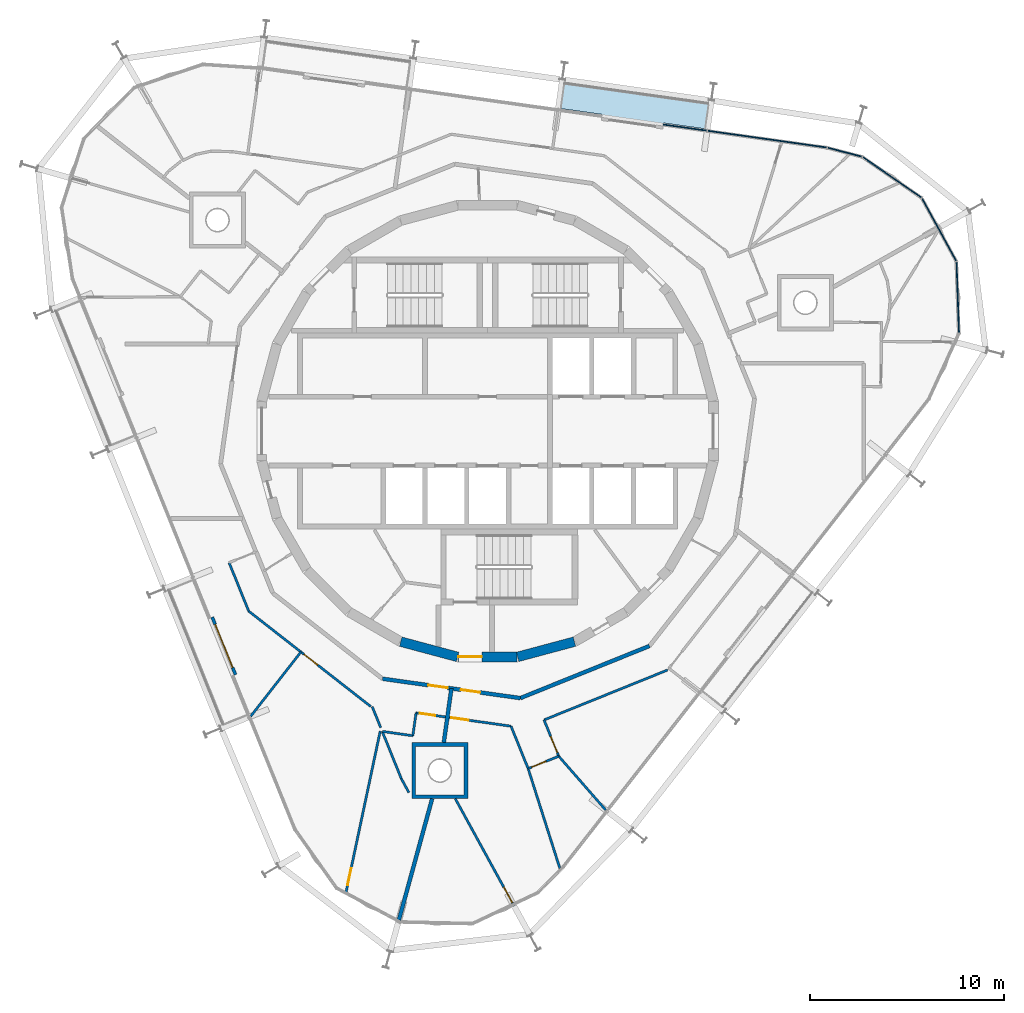
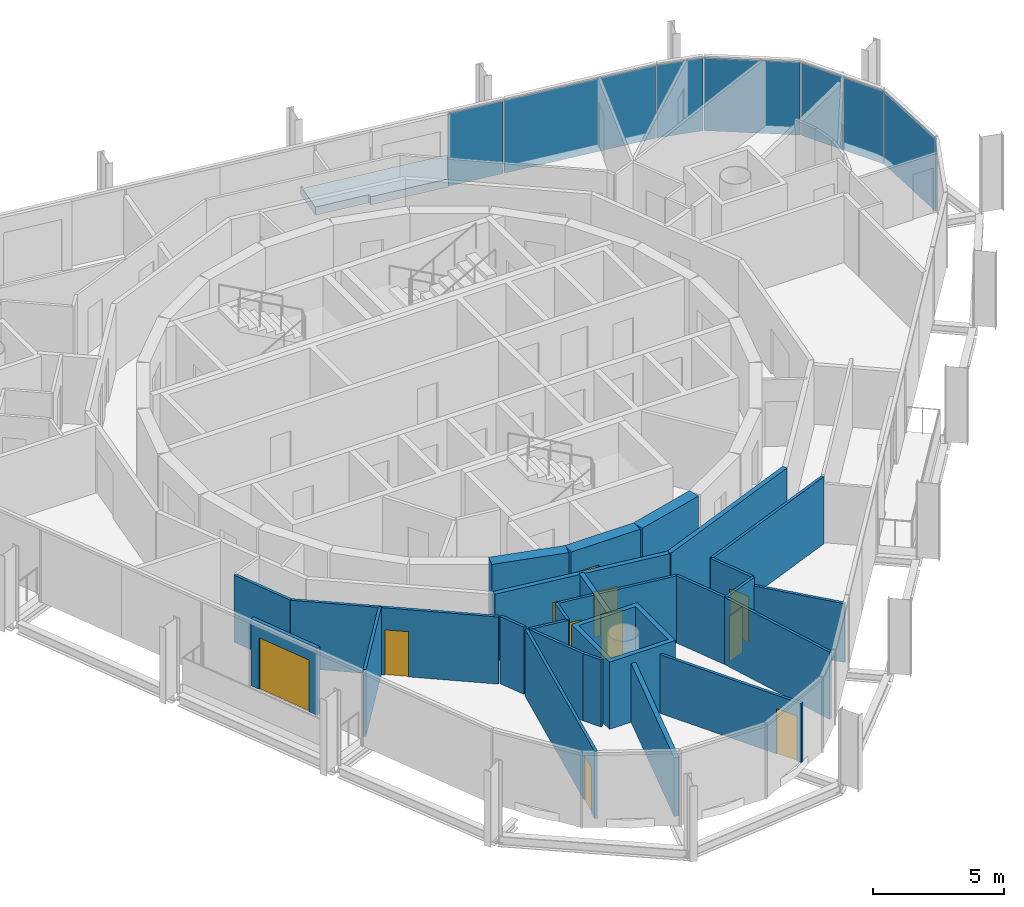
# One storey, part 9 of 15: 26 walls, 11 doors, 6 plates, 1 slab, 11 openings, 2 elements without a shape of their own.
"""IFC4 building model written with IfcOpenShell, lengths in metres."""

import ifcopenshell
import ifcopenshell.guid

model = None  # the IFC model being written
_history = None  # IfcOwnerHistory: only IFC2X3 demands one
_inside = {}  # id of a spatial element -> (the spatial element, [elements in it])
_under = {}  # id of a project, library or spatial element -> (it, [spatial elements below it])
_declared = {}  # id of a project -> (the project, [libraries it declares])
_typed = {}  # id of a type object -> (the type object, [elements of that type])
_made_of = {}  # id of a material, layer set ... -> (it, [elements and type objects made of it])


def new_model(schema):
    """Start an empty IFC model of exactly this schema.

    Asked for "IFC4X3", IfcOpenShell would pick the latest addendum, in which some entities
    have other attributes; the version numbers below select the first issue.
    IFC2X3 requires an IfcOwnerHistory on every rooted entity: one is made here for all.
    """
    global model, _history
    if schema == "IFC4X3":
        model = ifcopenshell.file(schema_version=(4, 3, 0, 0))
    else:
        model = ifcopenshell.file(schema=schema)
    _inside.clear()
    _under.clear()
    _declared.clear()
    _typed.clear()
    _made_of.clear()
    _history = None
    if model.schema == "IFC2X3":
        org = make("IfcOrganization", Name="unknown")
        user = make(
            "IfcPersonAndOrganization",
            ThePerson=make("IfcPerson", FamilyName="unknown"),
            TheOrganization=org,
        )
        app = make(
            "IfcApplication",
            ApplicationDeveloper=org,
            Version="unknown",
            ApplicationFullName="unknown",
            ApplicationIdentifier="unknown",
        )
        _history = make(
            "IfcOwnerHistory",
            OwningUser=user,
            OwningApplication=app,
            ChangeAction="ADDED",
            CreationDate=0,
        )
    return model


def make(cls, **values):
    """One entity of the class cls with the attributes given. An attribute that is None is left unset."""
    return model.create_entity(
        cls, **{name: value for name, value in values.items() if value is not None}
    )


def rooted(cls, **values):
    """An entity with a GlobalId (a new one), such as an element, a storey or a relation."""
    return make(cls, GlobalId=ifcopenshell.guid.new(), OwnerHistory=_history, **values)


def si_unit(unit_type, name, prefix=None):
    """IfcSIUnit, for example si_unit("LENGTHUNIT", "METRE", prefix="MILLI")."""
    return make("IfcSIUnit", UnitType=unit_type, Prefix=prefix, Name=name)


def assignment(units):
    """IfcUnitAssignment: the units of a project."""
    return None if units is None else make("IfcUnitAssignment", Units=units)


def point(xyz):
    """IfcCartesianPoint."""
    return None if xyz is None else make("IfcCartesianPoint", Coordinates=xyz)


def direction(xyz):
    """IfcDirection."""
    return None if xyz is None else make("IfcDirection", DirectionRatios=xyz)


def frame(location, z_axis=None, x_axis=None):
    """IfcAxis2Placement3D, a coordinate frame: its origin and axes. An axis left out is left unset."""
    return make(
        "IfcAxis2Placement3D",
        Location=point(location),
        Axis=direction(z_axis),
        RefDirection=direction(x_axis),
    )


def frame_2d(location, x_axis=None):
    """IfcAxis2Placement2D, a coordinate frame in the plane: its origin and x axis."""
    return make(
        "IfcAxis2Placement2D", Location=point(location), RefDirection=direction(x_axis)
    )


def origin():
    """The frame at (0, 0, 0) with its axes left unset."""
    return frame((0.0, 0.0, 0.0))


def origin_2d():
    """The frame at (0, 0) in the plane with its x axis left unset."""
    return frame_2d((0.0, 0.0))


def place(relative_to, where):
    """IfcLocalPlacement: puts the frame where relative to a parent placement (None: the world)."""
    return make(
        "IfcLocalPlacement", PlacementRelTo=relative_to, RelativePlacement=where
    )


def context(
    kind, dimensions, precision=None, world=None, true_north=None, identifier=None
):
    """IfcGeometricRepresentationContext, for example the 3D "Model" context."""
    return make(
        "IfcGeometricRepresentationContext",
        ContextIdentifier=identifier,
        ContextType=kind,
        CoordinateSpaceDimension=dimensions,
        Precision=precision,
        WorldCoordinateSystem=world,
        TrueNorth=true_north,
    )


def subcontext(parent, identifier, kind, view, scale=None):
    """IfcGeometricRepresentationSubContext, for example "Body" below "Model"."""
    return make(
        "IfcGeometricRepresentationSubContext",
        ContextIdentifier=identifier,
        ContextType=kind,
        ParentContext=parent,
        TargetScale=scale,
        TargetView=view,
    )


def project(units=None, contexts=None):
    """IfcProject with its units and contexts."""
    return rooted(
        "IfcProject",
        Name="project",
        RepresentationContexts=contexts,
        UnitsInContext=assignment(units),
    )


def spatial(cls, under=None, at=None, **own):
    """A site, building, storey or space (cls), placed at a placement, below another one or the project."""
    s = rooted(cls, ObjectPlacement=at, **own)
    if under is not None:
        _under.setdefault(under.id(), (under, []))[1].append(s)
    return s


def polyline(points):
    """IfcPolyline through the points."""
    return make("IfcPolyline", Points=[point(p) for p in points])


def profile(cls, at=None, kind="AREA", **sizes):
    """A parametric profile (cls). Its sizes go by their IFC names, for example OverallWidth=200.0."""
    return make(cls, ProfileType=kind, Position=at, **sizes)


def rectangle(**sizes):
    """IfcRectangleProfileDef."""
    return profile("IfcRectangleProfileDef", **sizes)


def outline(outer, holes=None, kind="AREA"):
    """IfcArbitraryClosedProfileDef: a profile drawn as a closed curve; with holes, ...WithVoids."""
    if holes is None:
        return make("IfcArbitraryClosedProfileDef", ProfileType=kind, OuterCurve=outer)
    return make(
        "IfcArbitraryProfileDefWithVoids",
        ProfileType=kind,
        OuterCurve=outer,
        InnerCurves=holes,
    )


def extrude(swept, where, along, depth):
    """IfcExtrudedAreaSolid: the profile swept, set in the frame where, extruded along a direction by depth."""
    return make(
        "IfcExtrudedAreaSolid",
        SweptArea=swept,
        Position=where,
        ExtrudedDirection=direction(along),
        Depth=depth,
    )


def shape(context_of_items, identifier, shape_type, items):
    """IfcShapeRepresentation: the items that make up one representation, for example the "Body"."""
    return make(
        "IfcShapeRepresentation",
        ContextOfItems=context_of_items,
        RepresentationIdentifier=identifier,
        RepresentationType=shape_type,
        Items=items,
    )


def material(Name=None, Category=None):
    """IfcMaterial."""
    return make("IfcMaterial", Name=Name, Category=Category)


def layer(
    of_material, thickness, ventilated=None, Name=None, Category=None, Priority=None
):
    """IfcMaterialLayer: one layer of a wall or slab, of a material (None: an air gap)."""
    return make(
        "IfcMaterialLayer",
        Material=of_material,
        LayerThickness=thickness,
        IsVentilated=ventilated,
        Name=Name,
        Category=Category,
        Priority=Priority,
    )


def layer_set(layers, Name=None):
    """IfcMaterialLayerSet."""
    return make("IfcMaterialLayerSet", MaterialLayers=layers, LayerSetName=Name)


def made_of(thing, what):
    """Note that an element or type object is made of a material, layer set ...; save() writes the relation."""
    if what is not None:
        _made_of.setdefault(what.id(), (what, []))[1].append(thing)
    return thing


def type_object(cls, material=None, **own):
    """A type object (cls), such as IfcWallType, which elements share."""
    return made_of(rooted(cls, **own), material)


def element(
    cls,
    number,
    at=None,
    inside=None,
    cuts=None,
    type_object=None,
    material=None,
    context=None,
    identifier="Body",
    shape_type=None,
    held_by="IfcProductDefinitionShape",
    body=None,
    shapes=None,
    **own,
):
    """One element of the class cls, such as IfcWall. Its Tag is "e" and its number.

    at: its placement. inside: the storey or other place that contains it. cuts: it is an
    opening in that element (IfcRelVoidsElement). A single representation is given by context,
    identifier, shape_type and body (its items); several are given by shapes. held_by: the class
    of the entity that holds the representations. save() writes the other relations.
    """
    e = rooted(cls, Tag="e%d" % number, ObjectPlacement=at, **own)
    if body is not None:
        shapes = [shape(context, identifier, shape_type, body)]
    if shapes is not None:
        e.Representation = make(held_by, Representations=shapes)
    if inside is not None:
        _inside.setdefault(inside.id(), (inside, []))[1].append(e)
    if cuts is not None:
        rooted(
            "IfcRelVoidsElement", RelatingBuildingElement=cuts, RelatedOpeningElement=e
        )
    if type_object is not None:
        _typed.setdefault(type_object.id(), (type_object, []))[1].append(e)
    return made_of(e, material)


def fill(opening, filler):
    """IfcRelFillsElement: the door or window that sits in an opening."""
    return rooted(
        "IfcRelFillsElement",
        RelatingOpeningElement=opening,
        RelatedBuildingElement=filler,
    )


def aggregate(whole, parts):
    """IfcRelAggregates: a whole, such as a stair, and the parts it consists of."""
    return rooted("IfcRelAggregates", RelatingObject=whole, RelatedObjects=parts)


def save(model, path):
    """Write the relations noted so far, then the file.

    IfcRelAggregates (storeys below a building ...), IfcRelContainedInSpatialStructure (elements
    in a storey), IfcRelDefinesByType, IfcRelAssociatesMaterial and IfcRelDeclares: one each for
    every whole, place, type object, material and project.
    """
    for whole, parts in _under.values():
        aggregate(whole, parts)
    for where, things in _inside.values():
        rooted(
            "IfcRelContainedInSpatialStructure",
            RelatedElements=things,
            RelatingStructure=where,
        )
    for kind, things in _typed.values():
        rooted("IfcRelDefinesByType", RelatedObjects=things, RelatingType=kind)
    for what, things in _made_of.values():
        rooted("IfcRelAssociatesMaterial", RelatedObjects=things, RelatingMaterial=what)
    for by, libraries in _declared.values():
        rooted("IfcRelDeclares", RelatingContext=by, RelatedDefinitions=libraries)
    model.write(path)


model = new_model("IFC4")

# Units and contexts
model_context = context("Model", 3, precision=1e-05, world=origin(), true_north=direction((0.0, 1.0)))
body_context = subcontext(model_context, "Body", "Model", "MODEL_VIEW")
ifc_project = project(units=[si_unit("LENGTHUNIT", "METRE"), si_unit("AREAUNIT", "SQUARE_METRE"), si_unit("VOLUMEUNIT", "CUBIC_METRE"), si_unit("PLANEANGLEUNIT", "RADIAN"), si_unit("MASSUNIT", "GRAM", prefix="KILO")], contexts=[model_context])

# Site, building, storey
site_placement = place(None, origin())
site = spatial("IfcSite", under=ifc_project, at=site_placement, CompositionType="ELEMENT")
building_placement = place(site_placement, origin())
building = spatial("IfcBuilding", under=site, at=building_placement, Name="Spindle Arch Residences", CompositionType="ELEMENT")
storey_placement = place(building_placement, frame((0.0, 0.0, 336.5)))
storey = spatial("IfcBuildingStorey", under=building, at=storey_placement, Name="L86", CompositionType="ELEMENT", Elevation=336.5)

# Slab
ifc_material_1 = material(Name="Concrete C40/50", Category="concrete")
ifc_layer_1 = layer(ifc_material_1, 0.3798828125)
ifc_layer_set_1 = layer_set([ifc_layer_1], Name="Balcony slab 380")
slab_type = type_object("IfcSlabType", Name="Balcony slab 380", PredefinedType="FLOOR", material=ifc_layer_set_1)
slab_placement = place(storey_placement, frame((0.0, 0.0, -0.3798828125)))
element("IfcSlab", 1, at=slab_placement, inside=storey, type_object=slab_type, Name="Balcony L86 bay 6", PredefinedType="FLOOR", context=body_context, shape_type="SweptSolid", body=[
    extrude(outline(polyline([(11.470458984375, 17.05810546875), (11.396240234375, 17.068359375), (11.375244140625, 16.919921875), (3.982421875, 17.958984375), (4.00341796875, 18.107421875), (3.928955078125, 18.117919921875), (3.7216796875, 16.642333984375), (5.907958984375, 16.335205078125), (5.8857421875, 16.1767578125), (9.054443359375, 15.7314453125), (9.076904296875, 15.889892578125), (11.26318359375, 15.58251953125), (11.470458984375, 17.05810546875)])), origin(), (0.0, 0.0, 1.0), 0.3798828125),
])

# Curtain wall, plates
ifc_material_2 = material(Name="Aluminium bronze unitised frame with tinted glass", Category="aluminium")
ifc_layer_2 = layer(ifc_material_2, 0.159912109375)
ifc_layer_set_2 = layer_set([ifc_layer_2], Name="CW-D corner wall on the fillet arcs")
curtain_wall_type_1 = type_object("IfcCurtainWallType", Name="CW-D corner wall on the fillet arcs", PredefinedType="NOTDEFINED", material=ifc_layer_set_2)
curtain_wall_1_placement = place(storey_placement, origin())
curtain_wall_1 = element("IfcCurtainWall", 2, at=curtain_wall_1_placement, inside=storey, type_object=curtain_wall_type_1, Name="CW-D L86 run 1", PredefinedType="NOTDEFINED")
ifc_material_3 = material(Name="Tinted double glazing over aluminium faced non-combustible spandrel zone (K0)", Category="aluminium")
ifc_layer_3 = layer(ifc_material_3, 0.06005859375)
ifc_layer_set_3 = layer_set([ifc_layer_3], Name="Unitised glass panel with E 60 spandrel zone")
plate_type = type_object("IfcPlateType", Name="Unitised glass panel with E 60 spandrel zone", PredefinedType="CURTAIN_PANEL", material=ifc_layer_set_3)
plate_1_placement = place(storey_placement, frame((24.2470703125, 6.896240234375, -0.3798828125), z_axis=(0.0, 0.0, 1.0), x_axis=(-0.034899497139, 0.999390827004, 0.0)))
plate_1 = element("IfcPlate", 3, at=plate_1_placement, type_object=plate_type, Name="CW-D unit 02", PredefinedType="CURTAIN_PANEL", context=body_context, shape_type="SweptSolid", body=[
    extrude(rectangle(XDim=3.666748046875, YDim=0.06005859375, at=origin_2d()), origin(), (0.0, 0.0, 1.0), 3.3798828125),
])
plate_2_placement = place(storey_placement, frame((23.2880859375, 10.3935546875, -0.3798828125), z_axis=(0.0, 0.0, 1.0), x_axis=(-0.479713114021, 0.877425397533, 0.0)))
plate_2 = element("IfcPlate", 4, at=plate_2_placement, type_object=plate_type, Name="CW-D unit 03", PredefinedType="CURTAIN_PANEL", context=body_context, shape_type="SweptSolid", body=[
    extrude(rectangle(XDim=3.666748046875, YDim=0.06005859375, at=origin_2d()), origin(), (0.0, 0.0, 1.0), 3.3798828125),
])
plate_3_placement = place(storey_placement, frame((20.86181640625, 13.08837890625, -0.3798828125), z_axis=(0.0, 0.0, 1.0), x_axis=(-0.822475094841, 0.568801123739, 0.0)))
plate_3 = element("IfcPlate", 5, at=plate_3_placement, type_object=plate_type, Name="CW-D unit 04", PredefinedType="CURTAIN_PANEL", context=body_context, shape_type="SweptSolid", body=[
    extrude(rectangle(XDim=3.666748046875, YDim=0.06005859375, at=origin_2d()), origin(), (0.0, 0.0, 1.0), 3.3798828125),
])
plate_4_placement = place(storey_placement, frame((18.421630859375, 14.3857421875, -0.3798828125), z_axis=(0.0, 0.0, 1.0), x_axis=(-0.967415218326, 0.25319517245, 0.0)))
plate_4 = element("IfcPlate", 6, at=plate_4_placement, type_object=plate_type, Name="CW-D unit 05", PredefinedType="CURTAIN_PANEL", context=body_context, shape_type="SweptSolid", body=[
    extrude(rectangle(XDim=1.816162109375, YDim=0.06005859375, at=origin_2d()), origin(), (0.0, 0.0, 1.0), 3.3798828125),
])
plate_5_placement = place(storey_placement, frame((14.420166015625, 15.05810546875, -0.3798828125), z_axis=(0.0, 0.0, 1.0), x_axis=(-0.990268068742, 0.13917310096, 0.0)))
plate_5 = element("IfcPlate", 7, at=plate_5_placement, type_object=plate_type, Name="CW-D unit 06", PredefinedType="CURTAIN_PANEL", context=body_context, shape_type="SweptSolid", body=[
    extrude(rectangle(XDim=6.188720703125, YDim=0.06005859375, at=origin_2d()), origin(), (0.0, 0.0, 1.0), 3.3798828125),
])
aggregate(curtain_wall_1, [plate_1, plate_2, plate_3, plate_4, plate_5])

# Curtain wall, plate
ifc_material_4 = material(Name="Aluminium bronze unitised frame with tinted glass", Category="aluminium")
ifc_layer_4 = layer(ifc_material_4, 0.159912109375)
ifc_layer_set_4 = layer_set([ifc_layer_4], Name="CW-C typical residential unitised wall")
curtain_wall_type_2 = type_object("IfcCurtainWallType", Name="CW-C typical residential unitised wall", PredefinedType="NOTDEFINED", material=ifc_layer_set_4)
curtain_wall_2_placement = place(storey_placement, origin())
curtain_wall_2 = element("IfcCurtainWall", 8, at=curtain_wall_2_placement, inside=storey, type_object=curtain_wall_type_2, Name="CW-C L86 run 2", PredefinedType="NOTDEFINED")
plate_6_placement = place(storey_placement, frame((10.18115234375, 15.65380859375, -0.3798828125), z_axis=(0.0, 0.0, 1.0), x_axis=(-0.990268068742, 0.13917310096, 0.0)))
plate_6 = element("IfcPlate", 9, at=plate_6_placement, type_object=plate_type, Name="CW-C unit 05L", PredefinedType="CURTAIN_PANEL", context=body_context, shape_type="SweptSolid", body=[
    extrude(rectangle(XDim=2.252685546875, YDim=0.06005859375, at=origin_2d()), origin(), (0.0, 0.0, 1.0), 3.3798828125),
])
aggregate(curtain_wall_2, [plate_6])

# Walls
ifc_material_5 = material(Name="Concrete C50/60", Category="concrete")
ifc_layer_5 = layer(ifc_material_5, 0.5)
ifc_layer_set_5 = layer_set([ifc_layer_5], Name="Core outline wall 500")
wall_type_1 = type_object("IfcWallType", Name="Core outline wall 500", PredefinedType="SHEAR", material=ifc_layer_set_5)
for number, where, z_axis, x_axis, name in (
    (10, (1.5498046875, -11.642822265625, 0.0), (0.0, 0.0, 1.0), (0.965948410781, 0.258734743916, 0.0), "Core outline wall 1"),
    (11, (-4.479248046875, -10.858154296875, 0.0), (0.0, 0.0, 1.0), (0.965948410781, -0.258734743916, 0.0), "Core outline wall 23"),
):
    element("IfcWall", number, at=place(storey_placement, frame(where, z_axis=z_axis, x_axis=x_axis)), inside=storey, type_object=wall_type_1, Name=name, PredefinedType="SHEAR", context=body_context, shape_type="SweptSolid", body=[
        extrude(rectangle(XDim=3.03271484375, YDim=0.5, at=frame_2d((1.516357421875, 0.0))), origin(), (0.0, 0.0, 1.0), 3.1201171875),
    ])

# Wall, opening, door
wall_1_placement = place(storey_placement, frame((-1.516357421875, -11.647216796875, 0.0), z_axis=(0.0, 0.0, 1.0), x_axis=(1.0, 0.0, 0.0)))
wall_1 = element("IfcWall", 12, at=wall_1_placement, inside=storey, type_object=wall_type_1, Name="Core outline wall 24", PredefinedType="SHEAR", context=body_context, shape_type="SweptSolid", body=[
    extrude(rectangle(XDim=3.03271484375, YDim=0.5, at=frame_2d((1.516357421875, 0.0))), origin(), (0.0, 0.0, 1.0), 3.1201171875),
])
opening_1_placement = place(wall_1_placement, frame((0.016357421875, 0.0, 0.0)))
opening_1 = element("IfcOpeningElement", 13, at=opening_1_placement, cuts=wall_1, Name="Opening R9A1-AD03", PredefinedType="OPENING", context=body_context, shape_type="SweptSolid", body=[
    extrude(rectangle(XDim=1.199951171875, YDim=2.10009765625, at=frame_2d((0.60009765625, 1.050048828125))), frame((0.0, 0.260009765625, 0.0), z_axis=(0.0, -1.0, 0.0), x_axis=(1.0, 0.0, 0.0)), (0.0, 0.0, 1.0), 0.52001953125),
])
ifc_material_6 = material(Name="Steel, fire-resisting door", Category="steel")
door_type_1 = type_object("IfcDoorType", Name="Stair airlock door 1200x2100", OperationType="SINGLE_SWING_LEFT", PredefinedType="DOOR", material=ifc_material_6)
door_1_placement = place(opening_1_placement, origin())
door_1 = element("IfcDoor", 14, at=door_1_placement, inside=storey, type_object=door_type_1, Name="Stair airlock door R9A1-AD03", OperationType="SINGLE_SWING_RIGHT", OverallHeight=2.10009765625, OverallWidth=1.199951171875, PredefinedType="DOOR", context=body_context, shape_type="SweptSolid", body=[
    extrude(rectangle(XDim=1.199951171875, YDim=2.10009765625, at=frame_2d((0.60009765625, 1.050048828125))), frame((0.0, 0.02490234375, 0.0), z_axis=(0.0, -1.0, 0.0), x_axis=(1.0, 0.0, 0.0)), (0.0, 0.0, 1.0), 0.050048828125),
])
fill(opening_1, door_1)

# Wall, openings, doors
ifc_material_7 = material(Name="Calcium silicate block, plastered")
ifc_layer_6 = layer(ifc_material_7, 0.199951171875)
ifc_layer_set_6 = layer_set([ifc_layer_6], Name="Corridor wall 200")
wall_type_2 = type_object("IfcWallType", Name="Corridor wall 200", PredefinedType="STANDARD", material=ifc_layer_set_6)
wall_2_placement = place(storey_placement, frame((-5.42041015625, -12.77001953125, 0.0), z_axis=(0.0, 0.0, 1.0), x_axis=(0.990270565508, -0.139155334385, 0.0)))
wall_2 = element("IfcWall", 15, at=wall_2_placement, inside=storey, type_object=wall_type_2, Name="Corridor wall R9A1-W015", PredefinedType="STANDARD", context=body_context, shape_type="SweptSolid", body=[
    extrude(rectangle(XDim=7.180908203125, YDim=0.199951171875, at=frame_2d((3.59033203125, 0.0))), origin(), (0.0, 0.0, 1.0), 3.1201171875),
])
opening_2_placement = place(wall_2_placement, frame((2.390380859375, 0.0, 0.0)))
opening_2 = element("IfcOpeningElement", 16, at=opening_2_placement, cuts=wall_2, Name="Opening R9A1-FD05", PredefinedType="OPENING", context=body_context, shape_type="SweptSolid", body=[
    extrude(rectangle(XDim=1.0, YDim=2.10009765625, at=frame_2d((0.5, 1.050048828125))), frame((0.0, 0.10986328125, 0.0), z_axis=(0.0, -1.0, 0.0), x_axis=(1.0, 0.0, 0.0)), (0.0, 0.0, 1.0), 0.219970703125),
])
opening_3_placement = place(wall_2_placement, frame((4.090576171875, 0.0, 0.0)))
opening_3 = element("IfcOpeningElement", 17, at=opening_3_placement, cuts=wall_2, Name="Opening R9A1-FD06", PredefinedType="OPENING", context=body_context, shape_type="SweptSolid", body=[
    extrude(rectangle(XDim=1.0, YDim=2.10009765625, at=frame_2d((0.5, 1.050048828125))), frame((0.0, 0.10986328125, 0.0), z_axis=(0.0, -1.0, 0.0), x_axis=(1.0, 0.0, 0.0)), (0.0, 0.0, 1.0), 0.219970703125),
])
ifc_material_8 = material(Name="Timber, fire-resisting door set", Category="wood")
door_type_2 = type_object("IfcDoorType", Name="Flat entrance door 1000x2100", OperationType="NOTDEFINED", PredefinedType="DOOR", material=ifc_material_8)
door_2_placement = place(opening_2_placement, origin())
door_2 = element("IfcDoor", 18, at=door_2_placement, inside=storey, type_object=door_type_2, Name="Flat entrance door R9A1-FD05", OperationType="SINGLE_SWING_RIGHT", OverallHeight=2.10009765625, OverallWidth=1.0, PredefinedType="DOOR", context=body_context, shape_type="SweptSolid", body=[
    extrude(rectangle(XDim=1.0, YDim=2.10009765625, at=frame_2d((0.5, 1.050048828125))), frame((0.0, 0.02490234375, 0.0), z_axis=(0.0, -1.0, 0.0), x_axis=(1.0, 0.0, 0.0)), (0.0, 0.0, 1.0), 0.050048828125),
])
fill(opening_2, door_2)
door_3_placement = place(opening_3_placement, origin())
door_3 = element("IfcDoor", 19, at=door_3_placement, inside=storey, type_object=door_type_2, Name="Flat entrance door R9A1-FD06", OperationType="SINGLE_SWING_RIGHT", OverallHeight=2.10009765625, OverallWidth=1.0, PredefinedType="DOOR", context=body_context, shape_type="SweptSolid", body=[
    extrude(rectangle(XDim=1.0, YDim=2.10009765625, at=frame_2d((0.5, 1.050048828125))), frame((0.0, 0.02490234375, 0.0), z_axis=(0.0, -1.0, 0.0), x_axis=(1.0, 0.0, 0.0)), (0.0, 0.0, 1.0), 0.050048828125),
])
fill(opening_3, door_3)

# Walls
wall_3_placement = place(storey_placement, frame((1.690673828125, -13.769287109375, 0.0), z_axis=(0.0, 0.0, 1.0), x_axis=(0.92717916932, 0.374618189599, 0.0)))
element("IfcWall", 20, at=wall_3_placement, inside=storey, type_object=wall_type_2, Name="Corridor wall R9A1-W016", PredefinedType="STANDARD", context=body_context, shape_type="SweptSolid", body=[
    extrude(rectangle(XDim=7.18115234375, YDim=0.199951171875, at=frame_2d((3.590576171875, 0.0))), origin(), (0.0, 0.0, 1.0), 3.1201171875),
])
ifc_material_9 = material(Name="Plasterboard on steel studs", Category="steel")
ifc_layer_7 = layer(ifc_material_9, 0.1201171875)
ifc_layer_set_7 = layer_set([ifc_layer_7], Name="Flat partition 120")
wall_type_3 = type_object("IfcWallType", Name="Flat partition 120", PredefinedType="PARTITIONING", material=ifc_layer_set_7)
wall_4_placement = place(storey_placement, frame((-13.330078125, -6.78173828125, 0.0), z_axis=(0.0, 0.0, 1.0), x_axis=(0.374602180132, -0.927185637637, 0.0)))
element("IfcWall", 21, at=wall_4_placement, inside=storey, type_object=wall_type_3, Name="Flat partition R9A1-W072", PredefinedType="PARTITIONING", context=body_context, shape_type="SweptSolid", body=[
    extrude(rectangle(XDim=2.6982421875, YDim=0.1201171875, at=frame_2d((1.34912109375, 0.0))), origin(), (0.0, 0.0, 1.0), 3.1201171875),
])

# Wall, opening, door
wall_5_placement = place(storey_placement, frame((-12.3193359375, -9.283447265625, 0.0), z_axis=(0.0, 0.0, 1.0), x_axis=(0.788000268464, -0.61567489546, 0.0)))
wall_5 = element("IfcWall", 22, at=wall_5_placement, inside=storey, type_object=wall_type_3, Name="Flat partition R9A1-W073", PredefinedType="PARTITIONING", context=body_context, shape_type="SweptSolid", body=[
    extrude(rectangle(XDim=7.98486328125, YDim=0.1201171875, at=frame_2d((3.992431640625, 0.0))), origin(), (0.0, 0.0, 1.0), 3.1201171875),
])
opening_4_placement = place(wall_5_placement, frame((3.619140625, 0.0, 0.0)))
opening_4 = element("IfcOpeningElement", 23, at=opening_4_placement, cuts=wall_5, Name="Opening R9A1-ID16", PredefinedType="OPENING", context=body_context, shape_type="SweptSolid", body=[
    extrude(rectangle(XDim=0.89990234375, YDim=2.10009765625, at=frame_2d((0.449951171875, 1.050048828125))), frame((0.0, 0.070068359375, 0.0), z_axis=(0.0, -1.0, 0.0), x_axis=(1.0, 0.0, 0.0)), (0.0, 0.0, 1.0), 0.14013671875),
])
ifc_material_10 = material(Name="Timber door set", Category="wood")
door_type_3 = type_object("IfcDoorType", Name="Room door 900x2100", OperationType="NOTDEFINED", PredefinedType="DOOR", material=ifc_material_10)
door_4_placement = place(opening_4_placement, origin())
door_4 = element("IfcDoor", 24, at=door_4_placement, inside=storey, type_object=door_type_3, Name="Room door R9A1-ID16", OperationType="SINGLE_SWING_RIGHT", OverallHeight=2.10009765625, OverallWidth=0.89990234375, PredefinedType="DOOR", context=body_context, shape_type="SweptSolid", body=[
    extrude(rectangle(XDim=0.89990234375, YDim=2.10009765625, at=frame_2d((0.449951171875, 1.050048828125))), frame((0.0, 0.02490234375, 0.0), z_axis=(0.0, -1.0, 0.0), x_axis=(1.0, 0.0, 0.0)), (0.0, 0.0, 1.0), 0.050048828125),
])
fill(opening_4, door_4)

# Walls
wall_6_placement = place(storey_placement, frame((-5.9482421875, -14.21044921875, 0.0), z_axis=(0.0, 0.0, 1.0), x_axis=(0.374601530156, -0.927185900241, 0.0)))
element("IfcWall", 25, at=wall_6_placement, inside=storey, type_object=wall_type_3, Name="Flat partition R9A1-W074", PredefinedType="PARTITIONING", context=body_context, shape_type="SweptSolid", body=[
    extrude(rectangle(XDim=1.166015625, YDim=0.1201171875, at=frame_2d((0.5830078125, 0.0))), origin(), (0.0, 0.0, 1.0), 3.1201171875),
])
wall_7_placement = place(storey_placement, frame((-5.4326171875, -15.486572265625, 0.0), z_axis=(0.0, 0.0, 1.0), x_axis=(0.990268451053, -0.139170380644, 0.0)))
element("IfcWall", 26, at=wall_7_placement, inside=storey, type_object=wall_type_3, Name="Flat partition R9A1-W075", PredefinedType="PARTITIONING", context=body_context, shape_type="SweptSolid", body=[
    extrude(rectangle(XDim=1.5947265625, YDim=0.1201171875, at=frame_2d((0.79736328125, 0.0))), origin(), (0.0, 0.0, 1.0), 3.1201171875),
])
wall_8_placement = place(storey_placement, frame((-3.853515625, -15.70849609375, 0.0), z_axis=(0.0, 0.0, 1.0), x_axis=(0.139298773474, 0.99025039849, 0.0)))
element("IfcWall", 27, at=wall_8_placement, inside=storey, type_object=wall_type_3, Name="Flat partition R9A1-W076", PredefinedType="PARTITIONING", context=body_context, shape_type="SweptSolid", body=[
    extrude(rectangle(XDim=1.19189453125, YDim=0.1201171875, at=frame_2d((0.595947265625, 0.0))), origin(), (0.0, 0.0, 1.0), 3.1201171875),
])

# Wall, openings, doors
wall_9_placement = place(storey_placement, frame((-3.6875, -14.5283203125, 0.0), z_axis=(0.0, 0.0, 1.0), x_axis=(0.990273698817, -0.139133035013, 0.0)))
wall_9 = element("IfcWall", 28, at=wall_9_placement, inside=storey, type_object=wall_type_3, Name="Flat partition R9A1-W077", PredefinedType="PARTITIONING", context=body_context, shape_type="SweptSolid", body=[
    extrude(rectangle(XDim=4.94482421875, YDim=0.1201171875, at=frame_2d((2.472412109375, 0.0))), origin(), (0.0, 0.0, 1.0), 3.1201171875),
])
opening_5_placement = place(wall_9_placement, frame((0.199951171875, 0.0, 0.0)))
opening_5 = element("IfcOpeningElement", 29, at=opening_5_placement, cuts=wall_9, Name="Opening R9A1-BD05", PredefinedType="OPENING", context=body_context, shape_type="SweptSolid", body=[
    extrude(rectangle(XDim=0.800048828125, YDim=2.10009765625, at=frame_2d((0.39990234375, 1.050048828125))), frame((0.0, 0.070068359375, 0.0), z_axis=(0.0, -1.0, 0.0), x_axis=(1.0, 0.0, 0.0)), (0.0, 0.0, 1.0), 0.14013671875),
])
opening_6_placement = place(wall_9_placement, frame((1.829833984375, 0.0, 0.0)))
opening_6 = element("IfcOpeningElement", 30, at=opening_6_placement, cuts=wall_9, Name="Opening R9A1-ID18", PredefinedType="OPENING", context=body_context, shape_type="SweptSolid", body=[
    extrude(rectangle(XDim=0.89990234375, YDim=2.10009765625, at=frame_2d((0.449951171875, 1.050048828125))), frame((0.0, 0.070068359375, 0.0), z_axis=(0.0, -1.0, 0.0), x_axis=(1.0, 0.0, 0.0)), (0.0, 0.0, 1.0), 0.14013671875),
])
ifc_material_11 = material(Name="Timber door set", Category="wood")
door_type_4 = type_object("IfcDoorType", Name="Bathroom door 800x2100", OperationType="NOTDEFINED", PredefinedType="DOOR", material=ifc_material_11)
door_5_placement = place(opening_5_placement, origin())
door_5 = element("IfcDoor", 31, at=door_5_placement, inside=storey, type_object=door_type_4, Name="Bathroom door R9A1-BD05", OperationType="SINGLE_SWING_RIGHT", OverallHeight=2.10009765625, OverallWidth=0.800048828125, PredefinedType="DOOR", context=body_context, shape_type="SweptSolid", body=[
    extrude(rectangle(XDim=0.800048828125, YDim=2.10009765625, at=frame_2d((0.39990234375, 1.050048828125))), frame((0.0, 0.02490234375, 0.0), z_axis=(0.0, -1.0, 0.0), x_axis=(1.0, 0.0, 0.0)), (0.0, 0.0, 1.0), 0.050048828125),
])
fill(opening_5, door_5)
door_6_placement = place(opening_6_placement, origin())
door_6 = element("IfcDoor", 32, at=door_6_placement, inside=storey, type_object=door_type_3, Name="Room door R9A1-ID18", OperationType="SINGLE_SWING_RIGHT", OverallHeight=2.10009765625, OverallWidth=0.89990234375, PredefinedType="DOOR", context=body_context, shape_type="SweptSolid", body=[
    extrude(rectangle(XDim=0.89990234375, YDim=2.10009765625, at=frame_2d((0.449951171875, 1.050048828125))), frame((0.0, 0.02490234375, 0.0), z_axis=(0.0, -1.0, 0.0), x_axis=(1.0, 0.0, 0.0)), (0.0, 0.0, 1.0), 0.050048828125),
])
fill(opening_6, door_6)

# Wall
wall_10_placement = place(storey_placement, frame((-12.218505859375, -14.7080078125, 0.0), z_axis=(0.0, 0.0, 1.0), x_axis=(0.615656413137, 0.788014708596, 0.0)))
element("IfcWall", 33, at=wall_10_placement, inside=storey, type_object=wall_type_3, Name="Flat partition R9A1-W078", PredefinedType="PARTITIONING", context=body_context, shape_type="SweptSolid", body=[
    extrude(rectangle(XDim=4.212646484375, YDim=0.1201171875, at=frame_2d((2.1064453125, 0.0))), origin(), (0.0, 0.0, 1.0), 3.1201171875),
])

# Wall, opening, door
wall_11_placement = place(storey_placement, frame((-7.305419921875, -23.81494140625, 0.0), z_axis=(0.0, 0.0, 1.0), x_axis=(0.207366409306, 0.978263345062, 0.0)))
wall_11 = element("IfcWall", 34, at=wall_11_placement, inside=storey, type_object=wall_type_3, Name="Flat partition R9A1-W079", PredefinedType="PARTITIONING", context=body_context, shape_type="SweptSolid", body=[
    extrude(rectangle(XDim=8.528564453125, YDim=0.1201171875, at=frame_2d((4.26416015625, 0.0))), origin(), (0.0, 0.0, 1.0), 3.1201171875),
])
opening_7_placement = place(wall_11_placement, frame((0.39990234375, 0.0, 0.0)))
opening_7 = element("IfcOpeningElement", 35, at=opening_7_placement, cuts=wall_11, Name="Opening R9A1-ID17", PredefinedType="OPENING", context=body_context, shape_type="SweptSolid", body=[
    extrude(rectangle(XDim=0.89990234375, YDim=2.10009765625, at=frame_2d((0.449951171875, 1.050048828125))), frame((0.0, 0.070068359375, 0.0), z_axis=(0.0, -1.0, 0.0), x_axis=(1.0, 0.0, 0.0)), (0.0, 0.0, 1.0), 0.14013671875),
])
door_7_placement = place(opening_7_placement, origin())
door_7 = element("IfcDoor", 36, at=door_7_placement, inside=storey, type_object=door_type_3, Name="Room door R9A1-ID17", OperationType="SINGLE_SWING_RIGHT", OverallHeight=2.10009765625, OverallWidth=0.89990234375, PredefinedType="DOOR", context=body_context, shape_type="SweptSolid", body=[
    extrude(rectangle(XDim=0.89990234375, YDim=2.10009765625, at=frame_2d((0.449951171875, 1.050048828125))), frame((0.0, 0.02490234375, 0.0), z_axis=(0.0, -1.0, 0.0), x_axis=(1.0, 0.0, 0.0)), (0.0, 0.0, 1.0), 0.050048828125),
])
fill(opening_7, door_7)

# Walls
wall_12_placement = place(storey_placement, frame((-4.05859375, -18.637939453125, 0.0), z_axis=(0.0, 0.0, 1.0), x_axis=(-0.479488268542, 0.877548289458, 0.0)))
element("IfcWall", 37, at=wall_12_placement, inside=storey, type_object=wall_type_3, Name="Flat partition R9A1-W080", PredefinedType="PARTITIONING", context=body_context, shape_type="SweptSolid", body=[
    extrude(rectangle(XDim=0.806640625, YDim=0.1201171875, at=frame_2d((0.4033203125, 0.0))), origin(), (0.0, 0.0, 1.0), 3.1201171875),
])
wall_13_placement = place(storey_placement, frame((-4.4453125, -17.93017578125, 0.0), z_axis=(0.0, 0.0, 1.0), x_axis=(-0.374614676827, 0.927180588616, 0.0)))
element("IfcWall", 38, at=wall_13_placement, inside=storey, type_object=wall_type_3, Name="Flat partition R9A1-W081", PredefinedType="PARTITIONING", context=body_context, shape_type="SweptSolid", body=[
    extrude(rectangle(XDim=2.635498046875, YDim=0.1201171875, at=frame_2d((1.31787109375, 0.0))), origin(), (0.0, 0.0, 1.0), 3.1201171875),
])
wall_14_placement = place(storey_placement, frame((1.209228515625, -15.21630859375, 0.0), z_axis=(0.0, 0.0, 1.0), x_axis=(0.374531550488, -0.927214170345, 0.0)))
element("IfcWall", 39, at=wall_14_placement, inside=storey, type_object=wall_type_3, Name="Flat partition R9A1-W082", PredefinedType="PARTITIONING", context=body_context, shape_type="SweptSolid", body=[
    extrude(rectangle(XDim=2.357177734375, YDim=0.1201171875, at=frame_2d((1.1787109375, 0.0))), origin(), (0.0, 0.0, 1.0), 3.1201171875),
])

# Wall, opening, door
wall_15_placement = place(storey_placement, frame((2.092041015625, -17.40185546875, 0.0), z_axis=(0.0, 0.0, 1.0), x_axis=(0.927153589835, 0.374681492546, 0.0)))
wall_15 = element("IfcWall", 40, at=wall_15_placement, inside=storey, type_object=wall_type_3, Name="Flat partition R9A1-W083", PredefinedType="PARTITIONING", context=body_context, shape_type="SweptSolid", body=[
    extrude(rectangle(XDim=1.699951171875, YDim=0.1201171875, at=frame_2d((0.85009765625, 0.0))), origin(), (0.0, 0.0, 1.0), 3.1201171875),
])
opening_8_placement = place(wall_15_placement, frame((0.199951171875, 0.0, 0.0)))
opening_8 = element("IfcOpeningElement", 41, at=opening_8_placement, cuts=wall_15, Name="Opening R9A1-BD06", PredefinedType="OPENING", context=body_context, shape_type="SweptSolid", body=[
    extrude(rectangle(XDim=0.800048828125, YDim=2.10009765625, at=frame_2d((0.39990234375, 1.050048828125))), frame((0.0, 0.070068359375, 0.0), z_axis=(0.0, -1.0, 0.0), x_axis=(1.0, 0.0, 0.0)), (0.0, 0.0, 1.0), 0.14013671875),
])
door_8_placement = place(opening_8_placement, origin())
door_8 = element("IfcDoor", 42, at=door_8_placement, inside=storey, type_object=door_type_4, Name="Bathroom door R9A1-BD06", OperationType="SINGLE_SWING_LEFT", OverallHeight=2.10009765625, OverallWidth=0.800048828125, PredefinedType="DOOR", context=body_context, shape_type="SweptSolid", body=[
    extrude(rectangle(XDim=0.800048828125, YDim=2.10009765625, at=frame_2d((0.39990234375, 1.050048828125))), frame((0.0, 0.02490234375, 0.0), z_axis=(0.0, -1.0, 0.0), x_axis=(1.0, 0.0, 0.0)), (0.0, 0.0, 1.0), 0.050048828125),
])
fill(opening_8, door_8)

wall_16_placement = place(storey_placement, frame((3.668212890625, -16.764892578125, 0.0), z_axis=(0.0, 0.0, 1.0), x_axis=(-0.374621045498, 0.927178015416, 0.0)))
wall_16 = element("IfcWall", 43, at=wall_16_placement, inside=storey, type_object=wall_type_3, Name="Flat partition R9A1-W084", PredefinedType="PARTITIONING", context=body_context, shape_type="SweptSolid", body=[
    extrude(rectangle(XDim=2.018310546875, YDim=0.1201171875, at=frame_2d((1.00927734375, 0.0))), origin(), (0.0, 0.0, 1.0), 3.1201171875),
])
opening_9_placement = place(wall_16_placement, frame((0.199951171875, 0.0, 0.0)))
opening_9 = element("IfcOpeningElement", 44, at=opening_9_placement, cuts=wall_16, Name="Opening R9A1-ID19", PredefinedType="OPENING", context=body_context, shape_type="SweptSolid", body=[
    extrude(rectangle(XDim=0.89990234375, YDim=2.10009765625, at=frame_2d((0.449951171875, 1.050048828125))), frame((0.0, 0.070068359375, 0.0), z_axis=(0.0, -1.0, 0.0), x_axis=(1.0, 0.0, 0.0)), (0.0, 0.0, 1.0), 0.14013671875),
])
door_9_placement = place(opening_9_placement, origin())
door_9 = element("IfcDoor", 45, at=door_9_placement, inside=storey, type_object=door_type_3, Name="Room door R9A1-ID19", OperationType="SINGLE_SWING_RIGHT", OverallHeight=2.10009765625, OverallWidth=0.89990234375, PredefinedType="DOOR", context=body_context, shape_type="SweptSolid", body=[
    extrude(rectangle(XDim=0.89990234375, YDim=2.10009765625, at=frame_2d((0.449951171875, 1.050048828125))), frame((0.0, 0.02490234375, 0.0), z_axis=(0.0, -1.0, 0.0), x_axis=(1.0, 0.0, 0.0)), (0.0, 0.0, 1.0), 0.050048828125),
])
fill(opening_9, door_9)

# Walls
wall_17_placement = place(storey_placement, frame((2.912109375, -14.8935546875, 0.0), z_axis=(0.0, 0.0, 1.0), x_axis=(0.927182280165, 0.374610490174, 0.0)))
element("IfcWall", 46, at=wall_17_placement, inside=storey, type_object=wall_type_3, Name="Flat partition R9A1-W085", PredefinedType="PARTITIONING", context=body_context, shape_type="SweptSolid", body=[
    extrude(rectangle(XDim=6.871826171875, YDim=0.1201171875, at=frame_2d((3.43603515625, 0.0))), origin(), (0.0, 0.0, 1.0), 3.1201171875),
])
wall_18_placement = place(storey_placement, frame((3.7275390625, -22.5478515625, 0.0), z_axis=(0.0, 0.0, 1.0), x_axis=(-0.302890110312, 0.953025488156, 0.0)))
element("IfcWall", 47, at=wall_18_placement, inside=storey, type_object=wall_type_3, Name="Flat partition R9A1-W088", PredefinedType="PARTITIONING", context=body_context, shape_type="SweptSolid", body=[
    extrude(rectangle(XDim=5.399658203125, YDim=0.1201171875, at=frame_2d((2.69970703125, 0.0))), origin(), (0.0, 0.0, 1.0), 3.1201171875),
])

# Wall, opening, door
ifc_material_12 = material(Name="Plasterboard on steel studs", Category="steel")
ifc_layer_8 = layer(ifc_material_12, 0.1201171875)
ifc_layer_set_8 = layer_set([ifc_layer_8], Name="Flat partition 120 under beam 2730")
wall_type_4 = type_object("IfcWallType", Name="Flat partition 120 under beam 2730", PredefinedType="PARTITIONING", material=ifc_layer_set_8)
wall_19_placement = place(storey_placement, frame((1.36328125, -24.4853515625, 0.0), z_axis=(0.0, 0.0, 1.0), x_axis=(-0.480397592444, 0.877050827018, 0.0)))
wall_19 = element("IfcWall", 48, at=wall_19_placement, inside=storey, type_object=wall_type_4, Name="Flat partition R9A1-W087", PredefinedType="PARTITIONING", context=body_context, shape_type="SweptSolid", body=[
    extrude(rectangle(XDim=6.305908203125, YDim=0.1201171875, at=frame_2d((3.15283203125, 0.0))), origin(), (0.0, 0.0, 1.0), 2.72998046875),
])
opening_10_placement = place(wall_19_placement, frame((0.199951171875, 0.0, 0.0)))
opening_10 = element("IfcOpeningElement", 49, at=opening_10_placement, cuts=wall_19, Name="Opening R9A1-ID21", PredefinedType="OPENING", context=body_context, shape_type="SweptSolid", body=[
    extrude(rectangle(XDim=0.89990234375, YDim=2.10009765625, at=frame_2d((0.449951171875, 1.050048828125))), frame((0.0, 0.070068359375, 0.0), z_axis=(0.0, -1.0, 0.0), x_axis=(1.0, 0.0, 0.0)), (0.0, 0.0, 1.0), 0.14013671875),
])
door_10_placement = place(opening_10_placement, origin())
door_10 = element("IfcDoor", 50, at=door_10_placement, inside=storey, type_object=door_type_3, Name="Room door R9A1-ID21", OperationType="SINGLE_SWING_LEFT", OverallHeight=2.10009765625, OverallWidth=0.89990234375, PredefinedType="DOOR", context=body_context, shape_type="SweptSolid", body=[
    extrude(rectangle(XDim=0.89990234375, YDim=2.10009765625, at=frame_2d((0.449951171875, 1.050048828125))), frame((0.0, 0.02490234375, 0.0), z_axis=(0.0, -1.0, 0.0), x_axis=(1.0, 0.0, 0.0)), (0.0, 0.0, 1.0), 0.050048828125),
])
fill(opening_10, door_10)

# Walls
wall_20_placement = place(storey_placement, frame((6.097412109375, -19.5458984375, 0.0), z_axis=(0.0, 0.0, 1.0), x_axis=(-0.657863093444, 0.753137537429, 0.0)))
element("IfcWall", 51, at=wall_20_placement, inside=storey, type_object=wall_type_4, Name="Flat partition R9A1-W089", PredefinedType="PARTITIONING", context=body_context, shape_type="SweptSolid", body=[
    extrude(rectangle(XDim=3.692626953125, YDim=0.1201171875, at=frame_2d((1.84619140625, 0.0))), origin(), (0.0, 0.0, 1.0), 2.72998046875),
])
ifc_material_13 = material(Name="Calcium silicate block, plastered")
ifc_layer_9 = layer(ifc_material_13, 0.199951171875)
ifc_layer_set_9 = layer_set([ifc_layer_9], Name="Flat party wall 200")
wall_type_5 = type_object("IfcWallType", Name="Flat party wall 200", PredefinedType="STANDARD", material=ifc_layer_set_9)
wall_21_placement = place(storey_placement, frame((-2.25634765625, -16.0546875, 0.0), z_axis=(0.0, 0.0, 1.0), x_axis=(0.139148428478, 0.990271535919, 0.0)))
element("IfcWall", 52, at=wall_21_placement, inside=storey, type_object=wall_type_5, Name="Flat party wall R9A1-W028", PredefinedType="STANDARD", context=body_context, shape_type="SweptSolid", body=[
    extrude(rectangle(XDim=2.8125, YDim=0.199951171875, at=frame_2d((1.40625, 0.0))), origin(), (0.0, 0.0, 1.0), 3.1201171875),
])
ifc_material_14 = material(Name="Calcium silicate block, plastered")
ifc_layer_10 = layer(ifc_material_14, 0.199951171875)
ifc_layer_set_10 = layer_set([ifc_layer_10], Name="Flat party wall 200 under beam 2730")
wall_type_6 = type_object("IfcWallType", Name="Flat party wall 200 under beam 2730", PredefinedType="STANDARD", material=ifc_layer_set_10)
wall_22_placement = place(storey_placement, frame((-4.573974609375, -25.209716796875, 0.0), z_axis=(0.0, 0.0, 1.0), x_axis=(0.264579024648, 0.964364007892, 0.0)))
element("IfcWall", 53, at=wall_22_placement, inside=storey, type_object=wall_type_6, Name="Flat party wall R9A1-W029", PredefinedType="STANDARD", context=body_context, shape_type="SweptSolid", body=[
    extrude(rectangle(XDim=6.486083984375, YDim=0.199951171875, at=frame_2d((3.2431640625, 0.0))), origin(), (0.0, 0.0, 1.0), 2.72998046875),
])

# Wall, opening, door
ifc_material_15 = material(Name="Non-combustible mineral wool insulated aluminium faced external wall (K0)", Category="aluminium")
ifc_layer_11 = layer(ifc_material_15, 0.159912109375)
ifc_layer_set_11 = layer_set([ifc_layer_11], Name="Insulated external wall panel 160")
wall_type_7 = type_object("IfcWallType", Name="Insulated external wall panel 160", PredefinedType="STANDARD", material=ifc_layer_set_11)
wall_23_placement = place(storey_placement, frame((-14.1982421875, -9.594482421875, 0.0), z_axis=(0.0, 0.0, 1.0), x_axis=(0.374624519695, -0.927176611678, 0.0)))
wall_23 = element("IfcWall", 54, at=wall_23_placement, inside=storey, type_object=wall_type_7, Name="External wall L86 bay 14", PredefinedType="STANDARD", context=body_context, shape_type="SweptSolid", body=[
    extrude(rectangle(XDim=3.19970703125, YDim=0.159912109375, at=frame_2d((1.599853515625, 0.0))), origin(), (0.0, 0.0, 1.0), 3.1201171875),
])
opening_11_placement = place(wall_23_placement, frame((0.39990234375, 0.0, 0.0)))
opening_11 = element("IfcOpeningElement", 55, at=opening_11_placement, cuts=wall_23, Name="Opening BD14", PredefinedType="OPENING", context=body_context, shape_type="SweptSolid", body=[
    extrude(rectangle(XDim=2.39990234375, YDim=2.39990234375, at=frame_2d((1.199951171875, 1.199951171875))), frame((0.0, 0.08984375, 0.0), z_axis=(0.0, -1.0, 0.0), x_axis=(1.0, 0.0, 0.0)), (0.0, 0.0, 1.0), 0.179931640625),
])
ifc_material_16 = material(Name="Bronze aluminium frame, tinted double glazing", Category="aluminium")
door_type_5 = type_object("IfcDoorType", Name="Sliding glazed balcony door 2400x2400", OperationType="DOUBLE_DOOR_SLIDING", PredefinedType="DOOR", material=ifc_material_16)
door_11_placement = place(opening_11_placement, origin())
door_11 = element("IfcDoor", 56, at=door_11_placement, inside=storey, type_object=door_type_5, Name="Balcony door BD14", OperationType="DOUBLE_DOOR_SLIDING", OverallHeight=2.39990234375, OverallWidth=2.39990234375, PredefinedType="DOOR", context=body_context, shape_type="SweptSolid", body=[
    extrude(rectangle(XDim=2.39990234375, YDim=2.39990234375, at=frame_2d((1.199951171875, 1.199951171875))), frame((0.0, 0.02490234375, 0.0), z_axis=(0.0, -1.0, 0.0), x_axis=(1.0, 0.0, 0.0)), (0.0, 0.0, 1.0), 0.050048828125),
])
fill(opening_11, door_11)

# Wall
ifc_material_17 = material(Name="Calcium silicate block, plastered")
ifc_layer_12 = layer(ifc_material_17, 0.199951171875)
ifc_layer_set_12 = layer_set([ifc_layer_12], Name="Mega-column casing wall 200")
wall_type_8 = type_object("IfcWallType", Name="Mega-column casing wall 200", PredefinedType="STANDARD", material=ifc_layer_set_12)
wall_24_placement = place(storey_placement, origin())
element("IfcWall", 57, at=wall_24_placement, inside=storey, type_object=wall_type_8, Name="Mega-column casing wall R9A1-WC03", PredefinedType="STANDARD", context=body_context, shape_type="SweptSolid", body=[
    extrude(outline(polyline([(-1.010009765625, -16.0546875), (-1.010009765625, -18.954833984375), (-3.91015625, -18.954833984375), (-3.91015625, -16.0546875), (-1.010009765625, -16.0546875)]), holes=[polyline([(-3.710205078125, -18.7548828125), (-1.210205078125, -18.7548828125), (-1.210205078125, -16.2548828125), (-3.710205078125, -16.2548828125), (-3.710205078125, -18.7548828125)])]), origin(), (0.0, 0.0, 1.0), 3.1201171875),
])

save(model, "model.ifc")
